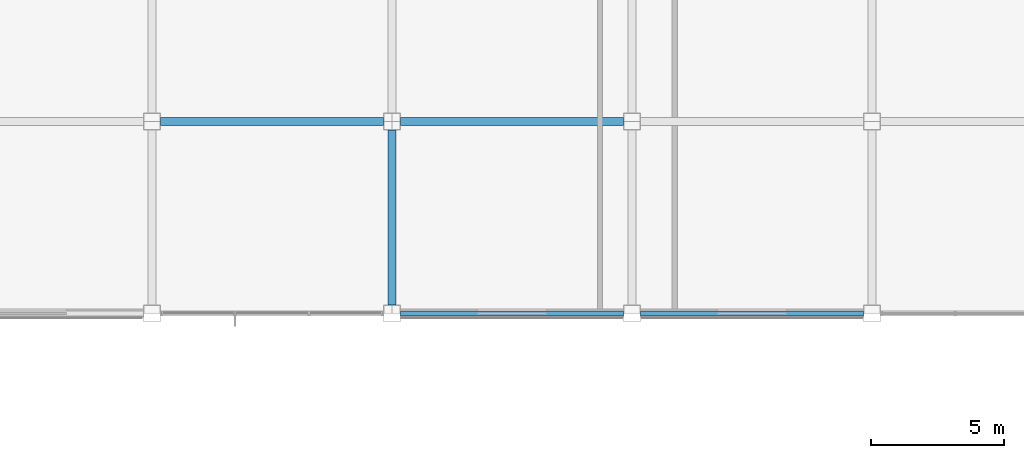
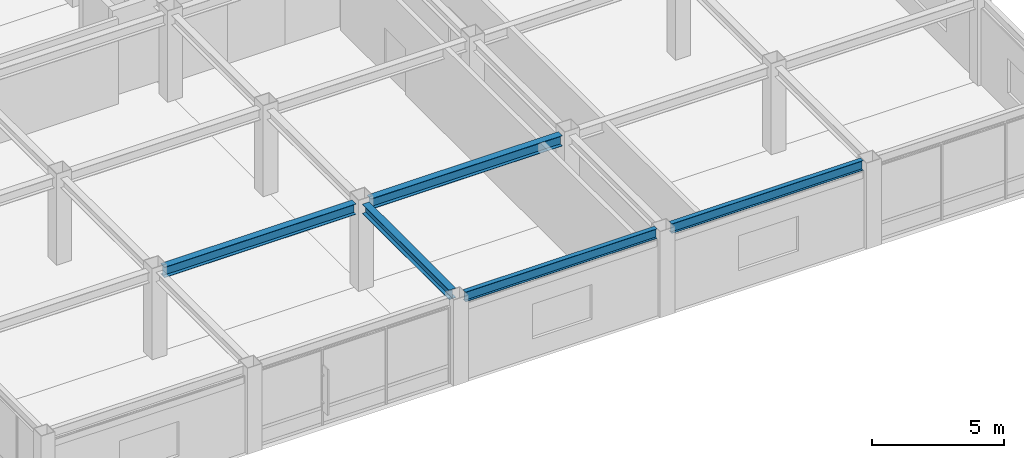
# One storey, part 72 of 106: 5 beams.
"""IFC4 building model written with IfcOpenShell, lengths in metres."""

import ifcopenshell
import ifcopenshell.guid

model = None  # the IFC model being written
_history = None  # IfcOwnerHistory: only IFC2X3 demands one
_inside = {}  # id of a spatial element -> (the spatial element, [elements in it])
_under = {}  # id of a project, library or spatial element -> (it, [spatial elements below it])
_declared = {}  # id of a project -> (the project, [libraries it declares])
_typed = {}  # id of a type object -> (the type object, [elements of that type])
_made_of = {}  # id of a material, layer set ... -> (it, [elements and type objects made of it])


def new_model(schema):
    """Start an empty IFC model of exactly this schema.

    Asked for "IFC4X3", IfcOpenShell would pick the latest addendum, in which some entities
    have other attributes; the version numbers below select the first issue.
    IFC2X3 requires an IfcOwnerHistory on every rooted entity: one is made here for all.
    """
    global model, _history
    if schema == "IFC4X3":
        model = ifcopenshell.file(schema_version=(4, 3, 0, 0))
    else:
        model = ifcopenshell.file(schema=schema)
    _inside.clear()
    _under.clear()
    _declared.clear()
    _typed.clear()
    _made_of.clear()
    _history = None
    if model.schema == "IFC2X3":
        org = make("IfcOrganization", Name="unknown")
        user = make(
            "IfcPersonAndOrganization",
            ThePerson=make("IfcPerson", FamilyName="unknown"),
            TheOrganization=org,
        )
        app = make(
            "IfcApplication",
            ApplicationDeveloper=org,
            Version="unknown",
            ApplicationFullName="unknown",
            ApplicationIdentifier="unknown",
        )
        _history = make(
            "IfcOwnerHistory",
            OwningUser=user,
            OwningApplication=app,
            ChangeAction="ADDED",
            CreationDate=0,
        )
    return model


def make(cls, **values):
    """One entity of the class cls with the attributes given. An attribute that is None is left unset."""
    return model.create_entity(
        cls, **{name: value for name, value in values.items() if value is not None}
    )


def rooted(cls, **values):
    """An entity with a GlobalId (a new one), such as an element, a storey or a relation."""
    return make(cls, GlobalId=ifcopenshell.guid.new(), OwnerHistory=_history, **values)


def si_unit(unit_type, name, prefix=None):
    """IfcSIUnit, for example si_unit("LENGTHUNIT", "METRE", prefix="MILLI")."""
    return make("IfcSIUnit", UnitType=unit_type, Prefix=prefix, Name=name)


def assignment(units):
    """IfcUnitAssignment: the units of a project."""
    return None if units is None else make("IfcUnitAssignment", Units=units)


def point(xyz):
    """IfcCartesianPoint."""
    return None if xyz is None else make("IfcCartesianPoint", Coordinates=xyz)


def direction(xyz):
    """IfcDirection."""
    return None if xyz is None else make("IfcDirection", DirectionRatios=xyz)


def frame(location, z_axis=None, x_axis=None):
    """IfcAxis2Placement3D, a coordinate frame: its origin and axes. An axis left out is left unset."""
    return make(
        "IfcAxis2Placement3D",
        Location=point(location),
        Axis=direction(z_axis),
        RefDirection=direction(x_axis),
    )


def frame_2d(location, x_axis=None):
    """IfcAxis2Placement2D, a coordinate frame in the plane: its origin and x axis."""
    return make(
        "IfcAxis2Placement2D", Location=point(location), RefDirection=direction(x_axis)
    )


def origin():
    """The frame at (0, 0, 0) with its axes left unset."""
    return frame((0.0, 0.0, 0.0))


def origin_2d():
    """The frame at (0, 0) in the plane with its x axis left unset."""
    return frame_2d((0.0, 0.0))


def place(relative_to, where):
    """IfcLocalPlacement: puts the frame where relative to a parent placement (None: the world)."""
    return make(
        "IfcLocalPlacement", PlacementRelTo=relative_to, RelativePlacement=where
    )


def context(
    kind, dimensions, precision=None, world=None, true_north=None, identifier=None
):
    """IfcGeometricRepresentationContext, for example the 3D "Model" context."""
    return make(
        "IfcGeometricRepresentationContext",
        ContextIdentifier=identifier,
        ContextType=kind,
        CoordinateSpaceDimension=dimensions,
        Precision=precision,
        WorldCoordinateSystem=world,
        TrueNorth=true_north,
    )


def subcontext(parent, identifier, kind, view, scale=None):
    """IfcGeometricRepresentationSubContext, for example "Body" below "Model"."""
    return make(
        "IfcGeometricRepresentationSubContext",
        ContextIdentifier=identifier,
        ContextType=kind,
        ParentContext=parent,
        TargetScale=scale,
        TargetView=view,
    )


def project(units=None, contexts=None):
    """IfcProject with its units and contexts."""
    return rooted(
        "IfcProject",
        Name="project",
        RepresentationContexts=contexts,
        UnitsInContext=assignment(units),
    )


def spatial(cls, under=None, at=None, **own):
    """A site, building, storey or space (cls), placed at a placement, below another one or the project."""
    s = rooted(cls, ObjectPlacement=at, **own)
    if under is not None:
        _under.setdefault(under.id(), (under, []))[1].append(s)
    return s


def profile(cls, at=None, kind="AREA", **sizes):
    """A parametric profile (cls). Its sizes go by their IFC names, for example OverallWidth=200.0."""
    return make(cls, ProfileType=kind, Position=at, **sizes)


def i_section(**sizes):
    """IfcIShapeProfileDef."""
    return profile("IfcIShapeProfileDef", **sizes)


def extrude(swept, where, along, depth):
    """IfcExtrudedAreaSolid: the profile swept, set in the frame where, extruded along a direction by depth."""
    return make(
        "IfcExtrudedAreaSolid",
        SweptArea=swept,
        Position=where,
        ExtrudedDirection=direction(along),
        Depth=depth,
    )


def shape(context_of_items, identifier, shape_type, items):
    """IfcShapeRepresentation: the items that make up one representation, for example the "Body"."""
    return make(
        "IfcShapeRepresentation",
        ContextOfItems=context_of_items,
        RepresentationIdentifier=identifier,
        RepresentationType=shape_type,
        Items=items,
    )


def material(Name=None, Category=None):
    """IfcMaterial."""
    return make("IfcMaterial", Name=Name, Category=Category)


def material_profile(
    of_material, cross_section, Name=None, Category=None, Priority=None
):
    """IfcMaterialProfile: a cross section and its material."""
    return make(
        "IfcMaterialProfile",
        Name=Name,
        Material=of_material,
        Profile=cross_section,
        Priority=Priority,
        Category=Category,
    )


def profile_set(profiles, Name=None, composite=None):
    """IfcMaterialProfileSet."""
    return make(
        "IfcMaterialProfileSet",
        Name=Name,
        MaterialProfiles=profiles,
        CompositeProfile=composite,
    )


def made_of(thing, what):
    """Note that an element or type object is made of a material, layer set ...; save() writes the relation."""
    if what is not None:
        _made_of.setdefault(what.id(), (what, []))[1].append(thing)
    return thing


def type_object(cls, material=None, **own):
    """A type object (cls), such as IfcWallType, which elements share."""
    return made_of(rooted(cls, **own), material)


def element(
    cls,
    number,
    at=None,
    inside=None,
    cuts=None,
    type_object=None,
    material=None,
    context=None,
    identifier="Body",
    shape_type=None,
    held_by="IfcProductDefinitionShape",
    body=None,
    shapes=None,
    **own,
):
    """One element of the class cls, such as IfcWall. Its Tag is "e" and its number.

    at: its placement. inside: the storey or other place that contains it. cuts: it is an
    opening in that element (IfcRelVoidsElement). A single representation is given by context,
    identifier, shape_type and body (its items); several are given by shapes. held_by: the class
    of the entity that holds the representations. save() writes the other relations.
    """
    e = rooted(cls, Tag="e%d" % number, ObjectPlacement=at, **own)
    if body is not None:
        shapes = [shape(context, identifier, shape_type, body)]
    if shapes is not None:
        e.Representation = make(held_by, Representations=shapes)
    if inside is not None:
        _inside.setdefault(inside.id(), (inside, []))[1].append(e)
    if cuts is not None:
        rooted(
            "IfcRelVoidsElement", RelatingBuildingElement=cuts, RelatedOpeningElement=e
        )
    if type_object is not None:
        _typed.setdefault(type_object.id(), (type_object, []))[1].append(e)
    return made_of(e, material)


def aggregate(whole, parts):
    """IfcRelAggregates: a whole, such as a stair, and the parts it consists of."""
    return rooted("IfcRelAggregates", RelatingObject=whole, RelatedObjects=parts)


def save(model, path):
    """Write the relations noted so far, then the file.

    IfcRelAggregates (storeys below a building ...), IfcRelContainedInSpatialStructure (elements
    in a storey), IfcRelDefinesByType, IfcRelAssociatesMaterial and IfcRelDeclares: one each for
    every whole, place, type object, material and project.
    """
    for whole, parts in _under.values():
        aggregate(whole, parts)
    for where, things in _inside.values():
        rooted(
            "IfcRelContainedInSpatialStructure",
            RelatedElements=things,
            RelatingStructure=where,
        )
    for kind, things in _typed.values():
        rooted("IfcRelDefinesByType", RelatedObjects=things, RelatingType=kind)
    for what, things in _made_of.values():
        rooted("IfcRelAssociatesMaterial", RelatedObjects=things, RelatingMaterial=what)
    for by, libraries in _declared.values():
        rooted("IfcRelDeclares", RelatingContext=by, RelatedDefinitions=libraries)
    model.write(path)


model = new_model("IFC4")

# Units and contexts
model_context = context("Model", 3, precision=1e-05, world=origin(), true_north=direction((0.0, 1.0)))
body_context = subcontext(model_context, "Body", "Model", "MODEL_VIEW")
ifc_project = project(units=[si_unit("LENGTHUNIT", "METRE"), si_unit("AREAUNIT", "SQUARE_METRE"), si_unit("VOLUMEUNIT", "CUBIC_METRE"), si_unit("PLANEANGLEUNIT", "RADIAN"), si_unit("MASSUNIT", "GRAM", prefix="KILO")], contexts=[model_context])

# Site, building, storey
site_placement = place(None, origin())
site = spatial("IfcSite", under=ifc_project, at=site_placement, CompositionType="ELEMENT")
building_placement = place(site_placement, origin())
building = spatial("IfcBuilding", under=site, at=building_placement, Name="Kazanami Central Library", CompositionType="ELEMENT")
storey_placement = place(building_placement, frame((0.0, 0.0, 12.800048828125)))
storey = spatial("IfcBuildingStorey", under=building, at=storey_placement, Name="L04", CompositionType="ELEMENT", Elevation=12.800048828125)

# Beams
ifc_material = material(Name="Steel SN490B (325 MPa)", Category="steel")
ifc_material_profile_1 = material_profile(ifc_material, i_section(OverallWidth=0.300048828125, OverallDepth=0.488037109375, WebThickness=0.010986328125, FlangeThickness=0.01806640625, at=origin_2d()), Name="H-488x300x11x18")
ifc_profile_set_1 = profile_set([ifc_material_profile_1], Name="Steel SN490B (325 MPa)")
beam_type_1 = type_object("IfcBeamType", Name="BM-G-X5", PredefinedType="BEAM", material=ifc_profile_set_1)
for number, where, z_axis, x_axis, name in (
    (1, (126.322998046875, 50.39990234375, 3.696044921875), (1.0, 0.0, 0.0), (0.0, 1.0, 0.0), "Girder G-X5 L04 H/15-16"),
    (2, (135.322998046875, 50.39990234375, 3.696044921875), (1.0, 0.0, 0.0), (0.0, 1.0, 0.0), "Girder G-X5 L04 H/16-17"),
):
    element("IfcBeam", number, at=place(storey_placement, frame(where, z_axis=z_axis, x_axis=x_axis)), inside=storey, type_object=beam_type_1, Name=name, PredefinedType="BEAM", context=body_context, shape_type="SweptSolid", body=[
        extrude(i_section(OverallWidth=0.300048828125, OverallDepth=0.488037109375, WebThickness=0.010986328125, FlangeThickness=0.01806640625, at=origin_2d()), origin(), (0.0, 0.0, 1.0), 8.35400390625),
    ])
ifc_material_profile_2 = material_profile(ifc_material, i_section(OverallWidth=0.300048828125, OverallDepth=0.43994140625, WebThickness=0.010986328125, FlangeThickness=0.01806640625, at=origin_2d()), Name="H-440x300x11x18")
ifc_profile_set_2 = profile_set([ifc_material_profile_2], Name="Steel SN490B (325 MPa)")
beam_type_2 = type_object("IfcBeamType", Name="BM-G-Y4", PredefinedType="BEAM", material=ifc_profile_set_2)
beam_placement = place(storey_placement, frame((135.0, 43.52294921875, 3.7548828125), z_axis=(0.0, 1.0, 0.0), x_axis=(-1.0, 0.0, 0.0)))
element("IfcBeam", 3, at=beam_placement, inside=storey, type_object=beam_type_2, Name="Girder G-Y4 L04 16/G-H", PredefinedType="BEAM", context=body_context, shape_type="SweptSolid", body=[
    extrude(i_section(OverallWidth=0.300048828125, OverallDepth=0.43994140625, WebThickness=0.010986328125, FlangeThickness=0.01806640625, at=origin_2d()), origin(), (0.0, 0.0, 1.0), 6.553955078125),
])
ifc_material_profile_3 = material_profile(ifc_material, i_section(OverallWidth=0.199951171875, OverallDepth=0.449951171875, WebThickness=0.009033203125, FlangeThickness=0.013916015625, at=origin_2d()), Name="H-450x200x9x14")
ifc_profile_set_3 = profile_set([ifc_material_profile_3], Name="Steel SN490B (325 MPa)")
beam_type_3 = type_object("IfcBeamType", Name="BM-SP-2", PredefinedType="SPANDREL", material=ifc_profile_set_3)
for number, where, z_axis, x_axis, name in (
    (4, (135.322998046875, 43.199951171875, 3.75), (1.0, 0.0, 0.0), (0.0, 1.0, 0.0), "Girder SP-2 L04 G/16-17"),
    (5, (144.322998046875, 43.199951171875, 3.75), (1.0, 0.0, 0.0), (0.0, 1.0, 0.0), "Girder SP-2 L04 G/17-18"),
):
    element("IfcBeam", number, at=place(storey_placement, frame(where, z_axis=z_axis, x_axis=x_axis)), inside=storey, type_object=beam_type_3, Name=name, PredefinedType="SPANDREL", context=body_context, shape_type="SweptSolid", body=[
        extrude(i_section(OverallWidth=0.199951171875, OverallDepth=0.449951171875, WebThickness=0.009033203125, FlangeThickness=0.013916015625, at=origin_2d()), origin(), (0.0, 0.0, 1.0), 8.35400390625),
    ])

save(model, "model.ifc")
